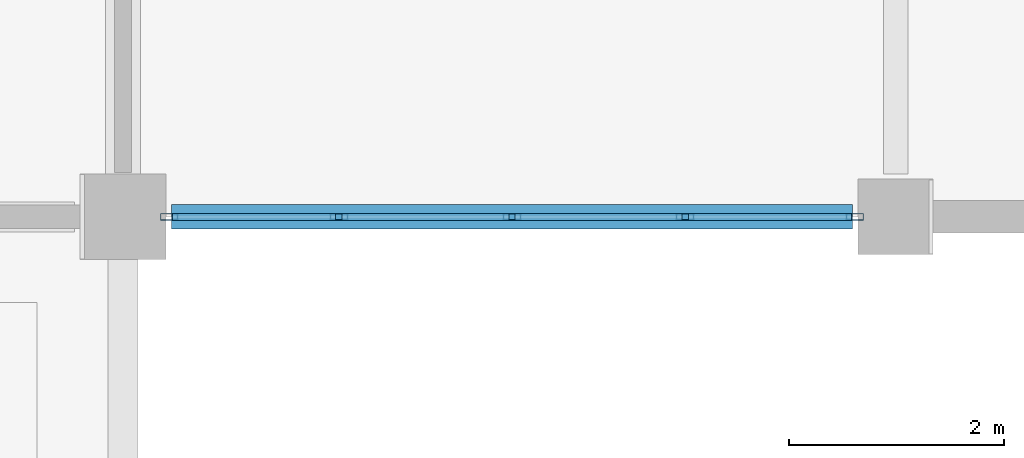
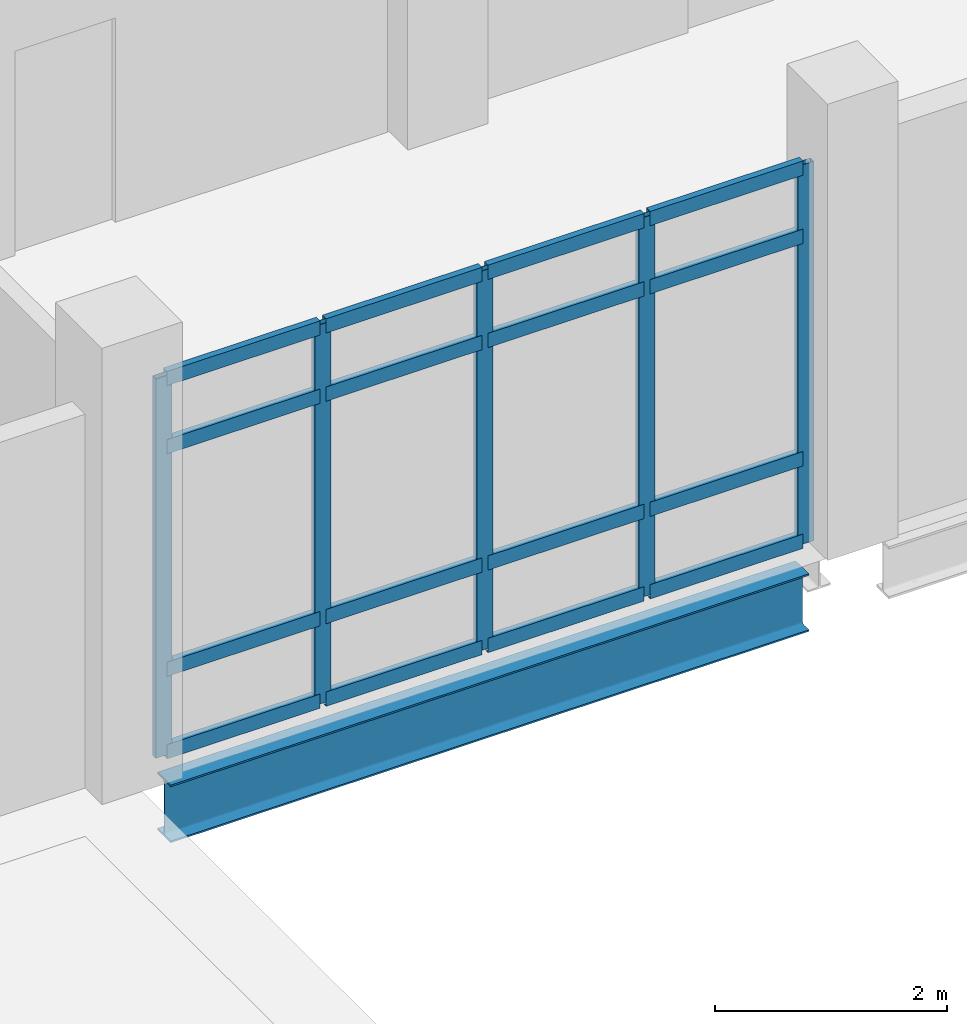
# One storey, part 73 of 153: 21 members, 1 beam, 1 element without a shape of its own.
"""IFC4 building model written with IfcOpenShell, lengths in metres."""

from ifc_helpers import new_model, si_unit, direction, frame, origin, origin_2d, place, context, subcontext, project, spatial, hollow_rectangle, i_section, extrude, material, layer, layer_set, material_profile, profile_set, type_object, element, aggregate, save


model = new_model("IFC4")

# Units and contexts
model_context = context("Model", 3, precision=1e-05, world=origin(), true_north=direction((0.0, 1.0)))
body_context = subcontext(model_context, "Body", "Model", "MODEL_VIEW")
ifc_project = project(units=[si_unit("LENGTHUNIT", "METRE"), si_unit("AREAUNIT", "SQUARE_METRE"), si_unit("VOLUMEUNIT", "CUBIC_METRE"), si_unit("PLANEANGLEUNIT", "RADIAN"), si_unit("MASSUNIT", "GRAM", prefix="KILO")], contexts=[model_context])

# Site, building, storey
site_placement = place(None, origin())
site = spatial("IfcSite", under=ifc_project, at=site_placement, CompositionType="ELEMENT")
building_placement = place(site_placement, origin())
building = spatial("IfcBuilding", under=site, at=building_placement, Name="Calvrana Isthmian Art Gallery", CompositionType="ELEMENT")
storey_placement = place(building_placement, frame((0.0, 0.0, 10.199951171875)))
storey = spatial("IfcBuildingStorey", under=building, at=storey_placement, Name="L02", CompositionType="ELEMENT", Elevation=10.199951171875)

# Beam
ifc_material_1 = material(Name="Steel ASTM A992 Gr 50", Category="steel")
ifc_material_profile_1 = material_profile(ifc_material_1, i_section(OverallWidth=0.22802734375, OverallDepth=0.60693359375, WebThickness=0.01123046875, FlangeThickness=0.017333984375, FilletRadius=0.02197265625, at=origin_2d()), Name="W24X76")
ifc_profile_set_1 = profile_set([ifc_material_profile_1], Name="Steel ASTM A992 Gr 50")
beam_type = type_object("IfcBeamType", Name="BM-G-W24X76", PredefinedType="BEAM", material=ifc_profile_set_1)
beam_placement = place(storey_placement, frame((120.449951171875, 76.800048828125, -0.568359375), z_axis=(1.0, 0.0, 0.0), x_axis=(0.0, 1.0, 0.0)))
element("IfcBeam", 1, at=beam_placement, inside=storey, type_object=beam_type, Name="Girder X L02 16-17/K", PredefinedType="BEAM", context=body_context, shape_type="SweptSolid", body=[
    extrude(i_section(OverallWidth=0.22802734375, OverallDepth=0.60693359375, WebThickness=0.01123046875, FlangeThickness=0.017333984375, FilletRadius=0.02197265625, at=origin_2d()), origin(), (0.0, 0.0, 1.0), 6.35009765625),
])

# Curtain wall, members
ifc_material_2 = material(Name="Anodized bronze aluminium 6063-T6", Category="aluminium")
ifc_layer = layer(ifc_material_2, 0.179931640625, Name="Anodized bronze aluminium 6063-T6")
ifc_layer_set = layer_set([ifc_layer], Name="Anodized bronze aluminium 6063-T6")
curtain_wall_type = type_object("IfcCurtainWallType", Name="CW-STICK-065X40", PredefinedType="NOTDEFINED", material=ifc_layer_set)
curtain_wall_placement = place(storey_placement, origin())
curtain_wall = element("IfcCurtainWall", 2, at=curtain_wall_placement, inside=storey, type_object=curtain_wall_type, Name="Curtain wall CW-157", PredefinedType="NOTDEFINED")
ifc_material_profile_2 = material_profile(ifc_material_2, hollow_rectangle(XDim=0.06005859375, YDim=0.159912109375, WallThickness=0.00390625, at=origin_2d()), Name="CWM60X160")
ifc_profile_set_2 = profile_set([ifc_material_profile_2], Name="Anodized bronze aluminium 6063-T6")
member_type_1 = type_object("IfcMemberType", Name="CWM-CWM60X160", PredefinedType="MULLION", material=ifc_profile_set_2)
member_1_placement = place(storey_placement, frame((126.820068359375, 76.800048828125, 0.0), z_axis=(0.0, 0.0, 1.0), x_axis=(0.0, -1.0, 0.0)))
member_1 = element("IfcMember", 3, at=member_1_placement, type_object=member_type_1, Name="CW-157 mullion 1", PredefinedType="MULLION", context=body_context, shape_type="SweptSolid", body=[
    extrude(hollow_rectangle(XDim=0.06005859375, YDim=0.159912109375, WallThickness=0.00390625, at=origin_2d()), origin(), (0.0, 0.0, 1.0), 3.990966796875),
])
member_2_placement = place(storey_placement, frame((125.237548828125, 76.800048828125, 0.0), z_axis=(0.0, 0.0, 1.0), x_axis=(0.0, -1.0, 0.0)))
member_2 = element("IfcMember", 4, at=member_2_placement, type_object=member_type_1, Name="CW-157 mullion 2", PredefinedType="MULLION", context=body_context, shape_type="SweptSolid", body=[
    extrude(hollow_rectangle(XDim=0.06005859375, YDim=0.159912109375, WallThickness=0.00390625, at=origin_2d()), origin(), (0.0, 0.0, 1.0), 3.990966796875),
])
member_3_placement = place(storey_placement, frame((123.625, 76.800048828125, 0.0), z_axis=(0.0, 0.0, 1.0), x_axis=(0.0, -1.0, 0.0)))
member_3 = element("IfcMember", 5, at=member_3_placement, type_object=member_type_1, Name="CW-157 mullion 3", PredefinedType="MULLION", context=body_context, shape_type="SweptSolid", body=[
    extrude(hollow_rectangle(XDim=0.06005859375, YDim=0.159912109375, WallThickness=0.00390625, at=origin_2d()), origin(), (0.0, 0.0, 1.0), 3.990966796875),
])
member_4_placement = place(storey_placement, frame((122.012451171875, 76.800048828125, 0.0), z_axis=(0.0, 0.0, 1.0), x_axis=(0.0, -1.0, 0.0)))
member_4 = element("IfcMember", 6, at=member_4_placement, type_object=member_type_1, Name="CW-157 mullion 4", PredefinedType="MULLION", context=body_context, shape_type="SweptSolid", body=[
    extrude(hollow_rectangle(XDim=0.06005859375, YDim=0.159912109375, WallThickness=0.00390625, at=origin_2d()), origin(), (0.0, 0.0, 1.0), 3.990966796875),
])
member_5_placement = place(storey_placement, frame((120.429931640625, 76.800048828125, 0.0), z_axis=(0.0, 0.0, 1.0), x_axis=(0.0, -1.0, 0.0)))
member_5 = element("IfcMember", 7, at=member_5_placement, type_object=member_type_1, Name="CW-157 mullion 5", PredefinedType="MULLION", context=body_context, shape_type="SweptSolid", body=[
    extrude(hollow_rectangle(XDim=0.06005859375, YDim=0.159912109375, WallThickness=0.00390625, at=origin_2d()), origin(), (0.0, 0.0, 1.0), 3.990966796875),
])
ifc_material_profile_3 = material_profile(ifc_material_2, hollow_rectangle(XDim=0.06494140625, YDim=0.14990234375, WallThickness=0.00390625, at=origin_2d()), Name="CWT65X150")
ifc_profile_set_3 = profile_set([ifc_material_profile_3], Name="Anodized bronze aluminium 6063-T6")
member_type_2 = type_object("IfcMemberType", Name="CWT-CWT65X150", PredefinedType="USERDEFINED", material=ifc_profile_set_3)
member_6_placement = place(storey_placement, frame((126.7900390625, 76.800048828125, 0.032470703125), z_axis=(-1.0, 0.0, 0.0), x_axis=(0.0, -1.0, 0.0)))
member_6 = element("IfcMember", 8, at=member_6_placement, type_object=member_type_2, Name="CW-157 transom 1.1", ObjectType="TRANSOM", PredefinedType="USERDEFINED", context=body_context, shape_type="SweptSolid", body=[
    extrude(hollow_rectangle(XDim=0.06494140625, YDim=0.14990234375, WallThickness=0.00390625, at=origin_2d()), origin(), (0.0, 0.0, 1.0), 1.5224609375),
])
member_7_placement = place(storey_placement, frame((126.7900390625, 76.800048828125, 0.900146484375), z_axis=(-1.0, 0.0, 0.0), x_axis=(0.0, -1.0, 0.0)))
member_7 = element("IfcMember", 9, at=member_7_placement, type_object=member_type_2, Name="CW-157 transom 1.2", ObjectType="TRANSOM", PredefinedType="USERDEFINED", context=body_context, shape_type="SweptSolid", body=[
    extrude(hollow_rectangle(XDim=0.06494140625, YDim=0.14990234375, WallThickness=0.00390625, at=origin_2d()), origin(), (0.0, 0.0, 1.0), 1.5224609375),
])
member_8_placement = place(storey_placement, frame((126.7900390625, 76.800048828125, 3.240966796875), z_axis=(-1.0, 0.0, 0.0), x_axis=(0.0, -1.0, 0.0)))
member_8 = element("IfcMember", 10, at=member_8_placement, type_object=member_type_2, Name="CW-157 transom 1.3", ObjectType="TRANSOM", PredefinedType="USERDEFINED", context=body_context, shape_type="SweptSolid", body=[
    extrude(hollow_rectangle(XDim=0.06494140625, YDim=0.14990234375, WallThickness=0.00390625, at=origin_2d()), origin(), (0.0, 0.0, 1.0), 1.5224609375),
])
member_9_placement = place(storey_placement, frame((126.7900390625, 76.800048828125, 3.95849609375), z_axis=(-1.0, 0.0, 0.0), x_axis=(0.0, -1.0, 0.0)))
member_9 = element("IfcMember", 11, at=member_9_placement, type_object=member_type_2, Name="CW-157 transom 1.4", ObjectType="TRANSOM", PredefinedType="USERDEFINED", context=body_context, shape_type="SweptSolid", body=[
    extrude(hollow_rectangle(XDim=0.06494140625, YDim=0.14990234375, WallThickness=0.00390625, at=origin_2d()), origin(), (0.0, 0.0, 1.0), 1.5224609375),
])
member_10_placement = place(storey_placement, frame((125.20751953125, 76.800048828125, 0.032470703125), z_axis=(-1.0, 0.0, 0.0), x_axis=(0.0, -1.0, 0.0)))
member_10 = element("IfcMember", 12, at=member_10_placement, type_object=member_type_2, Name="CW-157 transom 2.1", ObjectType="TRANSOM", PredefinedType="USERDEFINED", context=body_context, shape_type="SweptSolid", body=[
    extrude(hollow_rectangle(XDim=0.06494140625, YDim=0.14990234375, WallThickness=0.00390625, at=origin_2d()), origin(), (0.0, 0.0, 1.0), 1.552490234375),
])
member_11_placement = place(storey_placement, frame((125.20751953125, 76.800048828125, 0.900146484375), z_axis=(-1.0, 0.0, 0.0), x_axis=(0.0, -1.0, 0.0)))
member_11 = element("IfcMember", 13, at=member_11_placement, type_object=member_type_2, Name="CW-157 transom 2.2", ObjectType="TRANSOM", PredefinedType="USERDEFINED", context=body_context, shape_type="SweptSolid", body=[
    extrude(hollow_rectangle(XDim=0.06494140625, YDim=0.14990234375, WallThickness=0.00390625, at=origin_2d()), origin(), (0.0, 0.0, 1.0), 1.552490234375),
])
member_12_placement = place(storey_placement, frame((125.20751953125, 76.800048828125, 3.240966796875), z_axis=(-1.0, 0.0, 0.0), x_axis=(0.0, -1.0, 0.0)))
member_12 = element("IfcMember", 14, at=member_12_placement, type_object=member_type_2, Name="CW-157 transom 2.3", ObjectType="TRANSOM", PredefinedType="USERDEFINED", context=body_context, shape_type="SweptSolid", body=[
    extrude(hollow_rectangle(XDim=0.06494140625, YDim=0.14990234375, WallThickness=0.00390625, at=origin_2d()), origin(), (0.0, 0.0, 1.0), 1.552490234375),
])
member_13_placement = place(storey_placement, frame((125.20751953125, 76.800048828125, 3.95849609375), z_axis=(-1.0, 0.0, 0.0), x_axis=(0.0, -1.0, 0.0)))
member_13 = element("IfcMember", 15, at=member_13_placement, type_object=member_type_2, Name="CW-157 transom 2.4", ObjectType="TRANSOM", PredefinedType="USERDEFINED", context=body_context, shape_type="SweptSolid", body=[
    extrude(hollow_rectangle(XDim=0.06494140625, YDim=0.14990234375, WallThickness=0.00390625, at=origin_2d()), origin(), (0.0, 0.0, 1.0), 1.552490234375),
])
member_14_placement = place(storey_placement, frame((123.594970703125, 76.800048828125, 0.032470703125), z_axis=(-1.0, 0.0, 0.0), x_axis=(0.0, -1.0, 0.0)))
member_14 = element("IfcMember", 16, at=member_14_placement, type_object=member_type_2, Name="CW-157 transom 3.1", ObjectType="TRANSOM", PredefinedType="USERDEFINED", context=body_context, shape_type="SweptSolid", body=[
    extrude(hollow_rectangle(XDim=0.06494140625, YDim=0.14990234375, WallThickness=0.00390625, at=origin_2d()), origin(), (0.0, 0.0, 1.0), 1.552490234375),
])
member_15_placement = place(storey_placement, frame((123.594970703125, 76.800048828125, 0.900146484375), z_axis=(-1.0, 0.0, 0.0), x_axis=(0.0, -1.0, 0.0)))
member_15 = element("IfcMember", 17, at=member_15_placement, type_object=member_type_2, Name="CW-157 transom 3.2", ObjectType="TRANSOM", PredefinedType="USERDEFINED", context=body_context, shape_type="SweptSolid", body=[
    extrude(hollow_rectangle(XDim=0.06494140625, YDim=0.14990234375, WallThickness=0.00390625, at=origin_2d()), origin(), (0.0, 0.0, 1.0), 1.552490234375),
])
member_16_placement = place(storey_placement, frame((123.594970703125, 76.800048828125, 3.240966796875), z_axis=(-1.0, 0.0, 0.0), x_axis=(0.0, -1.0, 0.0)))
member_16 = element("IfcMember", 18, at=member_16_placement, type_object=member_type_2, Name="CW-157 transom 3.3", ObjectType="TRANSOM", PredefinedType="USERDEFINED", context=body_context, shape_type="SweptSolid", body=[
    extrude(hollow_rectangle(XDim=0.06494140625, YDim=0.14990234375, WallThickness=0.00390625, at=origin_2d()), origin(), (0.0, 0.0, 1.0), 1.552490234375),
])
member_17_placement = place(storey_placement, frame((123.594970703125, 76.800048828125, 3.95849609375), z_axis=(-1.0, 0.0, 0.0), x_axis=(0.0, -1.0, 0.0)))
member_17 = element("IfcMember", 19, at=member_17_placement, type_object=member_type_2, Name="CW-157 transom 3.4", ObjectType="TRANSOM", PredefinedType="USERDEFINED", context=body_context, shape_type="SweptSolid", body=[
    extrude(hollow_rectangle(XDim=0.06494140625, YDim=0.14990234375, WallThickness=0.00390625, at=origin_2d()), origin(), (0.0, 0.0, 1.0), 1.552490234375),
])
member_18_placement = place(storey_placement, frame((121.982421875, 76.800048828125, 0.032470703125), z_axis=(-1.0, 0.0, 0.0), x_axis=(0.0, -1.0, 0.0)))
member_18 = element("IfcMember", 20, at=member_18_placement, type_object=member_type_2, Name="CW-157 transom 4.1", ObjectType="TRANSOM", PredefinedType="USERDEFINED", context=body_context, shape_type="SweptSolid", body=[
    extrude(hollow_rectangle(XDim=0.06494140625, YDim=0.14990234375, WallThickness=0.00390625, at=origin_2d()), origin(), (0.0, 0.0, 1.0), 1.5224609375),
])
member_19_placement = place(storey_placement, frame((121.982421875, 76.800048828125, 0.900146484375), z_axis=(-1.0, 0.0, 0.0), x_axis=(0.0, -1.0, 0.0)))
member_19 = element("IfcMember", 21, at=member_19_placement, type_object=member_type_2, Name="CW-157 transom 4.2", ObjectType="TRANSOM", PredefinedType="USERDEFINED", context=body_context, shape_type="SweptSolid", body=[
    extrude(hollow_rectangle(XDim=0.06494140625, YDim=0.14990234375, WallThickness=0.00390625, at=origin_2d()), origin(), (0.0, 0.0, 1.0), 1.5224609375),
])
member_20_placement = place(storey_placement, frame((121.982421875, 76.800048828125, 3.240966796875), z_axis=(-1.0, 0.0, 0.0), x_axis=(0.0, -1.0, 0.0)))
member_20 = element("IfcMember", 22, at=member_20_placement, type_object=member_type_2, Name="CW-157 transom 4.3", ObjectType="TRANSOM", PredefinedType="USERDEFINED", context=body_context, shape_type="SweptSolid", body=[
    extrude(hollow_rectangle(XDim=0.06494140625, YDim=0.14990234375, WallThickness=0.00390625, at=origin_2d()), origin(), (0.0, 0.0, 1.0), 1.5224609375),
])
member_21_placement = place(storey_placement, frame((121.982421875, 76.800048828125, 3.95849609375), z_axis=(-1.0, 0.0, 0.0), x_axis=(0.0, -1.0, 0.0)))
member_21 = element("IfcMember", 23, at=member_21_placement, type_object=member_type_2, Name="CW-157 transom 4.4", ObjectType="TRANSOM", PredefinedType="USERDEFINED", context=body_context, shape_type="SweptSolid", body=[
    extrude(hollow_rectangle(XDim=0.06494140625, YDim=0.14990234375, WallThickness=0.00390625, at=origin_2d()), origin(), (0.0, 0.0, 1.0), 1.5224609375),
])
aggregate(curtain_wall, [member_1, member_2, member_3, member_4, member_5, member_6, member_7, member_8, member_9, member_10, member_11, member_12, member_13, member_14, member_15, member_16, member_17, member_18, member_19, member_20, member_21])

save(model, "model.ifc")
